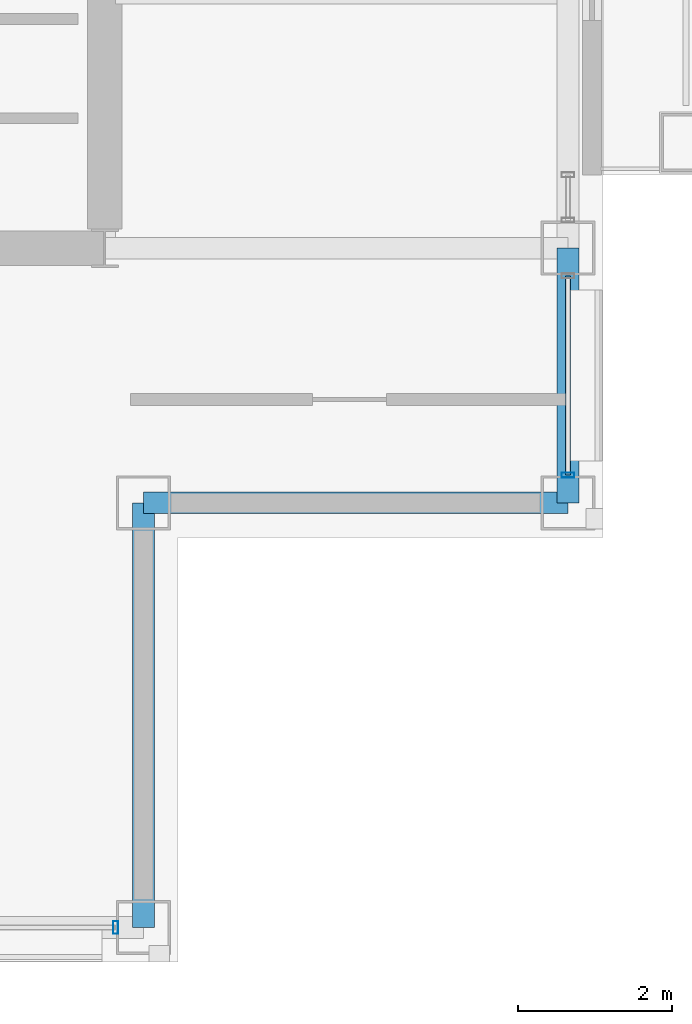
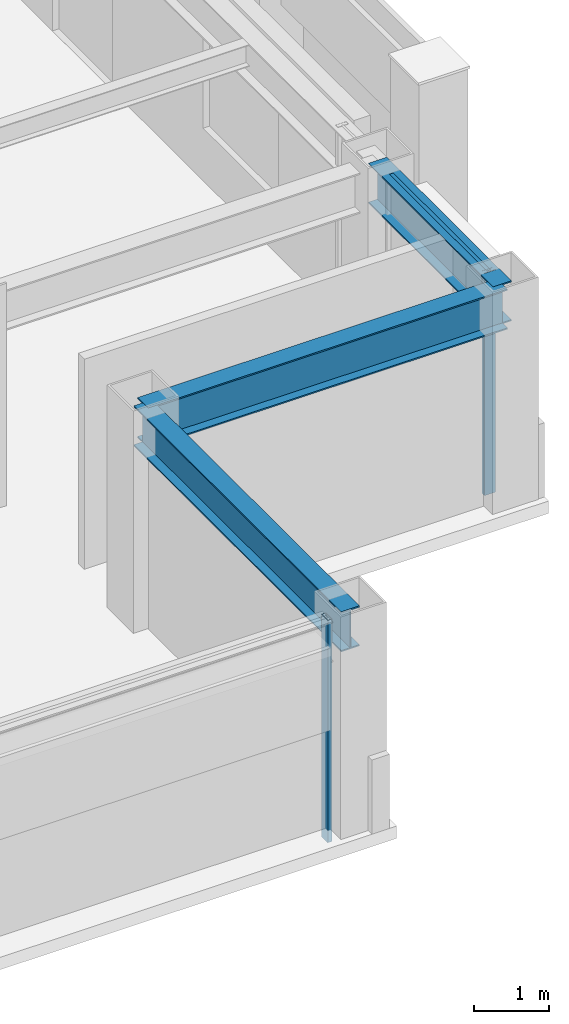
# One storey, part 12 of 30: 3 beams, 3 members, 2 elements without a shape of their own.
"""IFC4 building model written with IfcOpenShell, lengths in metres."""

from ifc_helpers import new_model, si_unit, direction, frame, origin, origin_2d, place, context, subcontext, project, spatial, hollow_rectangle, i_section, extrude, material, layer, layer_set, material_profile, profile_set, type_object, element, aggregate, save


model = new_model("IFC4")

# Units and contexts
model_context = context("Model", 3, precision=1e-05, world=origin(), true_north=direction((0.0, 1.0)))
body_context = subcontext(model_context, "Body", "Model", "MODEL_VIEW")
ifc_project = project(units=[si_unit("LENGTHUNIT", "METRE"), si_unit("AREAUNIT", "SQUARE_METRE"), si_unit("VOLUMEUNIT", "CUBIC_METRE"), si_unit("PLANEANGLEUNIT", "RADIAN"), si_unit("MASSUNIT", "GRAM", prefix="KILO")], contexts=[model_context])

# Site, building, storey
site_placement = place(None, origin())
site = spatial("IfcSite", under=ifc_project, at=site_placement, CompositionType="ELEMENT")
building_placement = place(site_placement, origin())
building = spatial("IfcBuilding", under=site, at=building_placement, Name="Brelmoor Portico Tower", CompositionType="ELEMENT")
storey_placement = place(building_placement, frame((0.0, 0.0, 198.300048828125)))
storey = spatial("IfcBuildingStorey", under=building, at=storey_placement, Name="L52", CompositionType="ELEMENT", Elevation=198.300048828125)

# Beams
ifc_material_1 = material(Name="Steel Q355B", Category="steel")
ifc_material_profile_1 = material_profile(ifc_material_1, i_section(OverallWidth=0.280029296875, OverallDepth=0.64990234375, WebThickness=0.012939453125, FlangeThickness=0.02197265625, at=origin_2d()), Name="HN 650x280x13x22")
ifc_profile_set_1 = profile_set([ifc_material_profile_1], Name="Steel Q355B")
beam_type = type_object("IfcBeamType", Name="BM-SP-650", PredefinedType="SPANDREL", material=ifc_profile_set_1)
for number, where, z_axis, x_axis, name in (
    (1, (15.050048828125, -13.050048828125, 3.074951171875), (1.0, 0.0, 0.0), (0.0, 1.0, 0.0), "L52 Perimeter Spandrel Beam SP-05"),
    (2, (15.050048828125, -18.550048828125, 3.074951171875), (0.0, 1.0, 0.0), (-1.0, 0.0, 0.0), "L52 Perimeter Spandrel Beam SP-16"),
):
    element("IfcBeam", number, at=place(storey_placement, frame(where, z_axis=z_axis, x_axis=x_axis)), inside=storey, type_object=beam_type, Name=name, PredefinedType="SPANDREL", context=body_context, shape_type="SweptSolid", body=[
        extrude(i_section(OverallWidth=0.280029296875, OverallDepth=0.64990234375, WebThickness=0.012939453125, FlangeThickness=0.02197265625, at=origin_2d()), origin(), (0.0, 0.0, 1.0), 5.5),
    ])
beam_placement = place(storey_placement, frame((20.550048828125, -13.050048828125, 3.074951171875), z_axis=(0.0, 1.0, 0.0), x_axis=(-1.0, 0.0, 0.0)))
element("IfcBeam", 3, at=beam_placement, inside=storey, type_object=beam_type, Name="L52 Perimeter Spandrel Beam SP-18", PredefinedType="SPANDREL", context=body_context, shape_type="SweptSolid", body=[
    extrude(i_section(OverallWidth=0.280029296875, OverallDepth=0.64990234375, WebThickness=0.012939453125, FlangeThickness=0.02197265625, at=origin_2d()), origin(), (0.0, 0.0, 1.0), 3.300048828125),
])

# Curtain wall, member
ifc_material_2 = material(Name="Anodised Aluminium Alloy 6063-T6", Category="aluminium")
ifc_layer = layer(ifc_material_2, 0.179931640625)
ifc_layer_set = layer_set([ifc_layer], Name="Anodised Aluminium Alloy 6063-T6")
curtain_wall_type = type_object("IfcCurtainWallType", Name="CW-TOWER-Z3-XB", PredefinedType="NOTDEFINED", material=ifc_layer_set)
curtain_wall_1_placement = place(storey_placement, origin())
curtain_wall_1 = element("IfcCurtainWall", 4, at=curtain_wall_1_placement, inside=storey, type_object=curtain_wall_type, Name="L52 Curtain Wall CW-L52-01-3", PredefinedType="NOTDEFINED")
ifc_material_profile_2 = material_profile(ifc_material_2, hollow_rectangle(XDim=0.06494140625, YDim=0.1650390625, WallThickness=0.00390625, at=origin_2d()), Name="ALU MULLION 65x165")
ifc_profile_set_2 = profile_set([ifc_material_profile_2], Name="Anodised Aluminium Alloy 6063-T6")
member_type_1 = type_object("IfcMemberType", Name="MB-CW-MULL-165", PredefinedType="MULLION", material=ifc_profile_set_2)
member_1_placement = place(storey_placement, frame((14.68994140625, -18.550048828125, -0.199951171875), z_axis=(0.0, 0.0, 1.0), x_axis=(1.0, 0.0, 0.0)))
member_1 = element("IfcMember", 5, at=member_1_placement, type_object=member_type_1, Name="CW-L52-01-3 Mullion 01", PredefinedType="MULLION", context=body_context, shape_type="SweptSolid", body=[
    extrude(hollow_rectangle(XDim=0.06494140625, YDim=0.1650390625, WallThickness=0.00390625, at=origin_2d()), origin(), (0.0, 0.0, 1.0), 3.599853515625),
])
aggregate(curtain_wall_1, [member_1])

# Curtain wall, members
curtain_wall_2_placement = place(storey_placement, origin())
curtain_wall_2 = element("IfcCurtainWall", 6, at=curtain_wall_2_placement, inside=storey, type_object=curtain_wall_type, Name="L52 Curtain Wall CW-L52-4L-1", PredefinedType="NOTDEFINED")
member_2_placement = place(storey_placement, frame((20.550048828125, -12.68994140625, -0.199951171875), z_axis=(0.0, 0.0, 1.0), x_axis=(0.0, 1.0, 0.0)))
member_2 = element("IfcMember", 7, at=member_2_placement, type_object=member_type_1, Name="CW-L52-4L-1 Mullion 00", PredefinedType="MULLION", context=body_context, shape_type="SweptSolid", body=[
    extrude(hollow_rectangle(XDim=0.06494140625, YDim=0.1650390625, WallThickness=0.00390625, at=origin_2d()), origin(), (0.0, 0.0, 1.0), 3.599853515625),
])
ifc_material_profile_3 = material_profile(ifc_material_2, hollow_rectangle(XDim=0.06005859375, YDim=0.125, WallThickness=0.00341796875, at=origin_2d()), Name="ALU TRANSOM 60x125")
ifc_profile_set_3 = profile_set([ifc_material_profile_3], Name="Anodised Aluminium Alloy 6063-T6")
member_type_2 = type_object("IfcMemberType", Name="MB-CW-TRAN-125", PredefinedType="USERDEFINED", material=ifc_profile_set_3)
member_3_placement = place(storey_placement, frame((20.550048828125, -12.68994140625, 3.33740234375), z_axis=(0.0, 1.0, 0.0), x_axis=(-1.0, 0.0, 0.0)))
member_3 = element("IfcMember", 8, at=member_3_placement, type_object=member_type_2, Name="CW-L52-4L-1 Transom 1-00", ObjectType="TRANSOM", PredefinedType="USERDEFINED", context=body_context, shape_type="SweptSolid", body=[
    extrude(hollow_rectangle(XDim=0.06005859375, YDim=0.125, WallThickness=0.00341796875, at=origin_2d()), origin(), (0.0, 0.0, 1.0), 2.579833984375),
])
aggregate(curtain_wall_2, [member_2, member_3])

save(model, "model.ifc")
